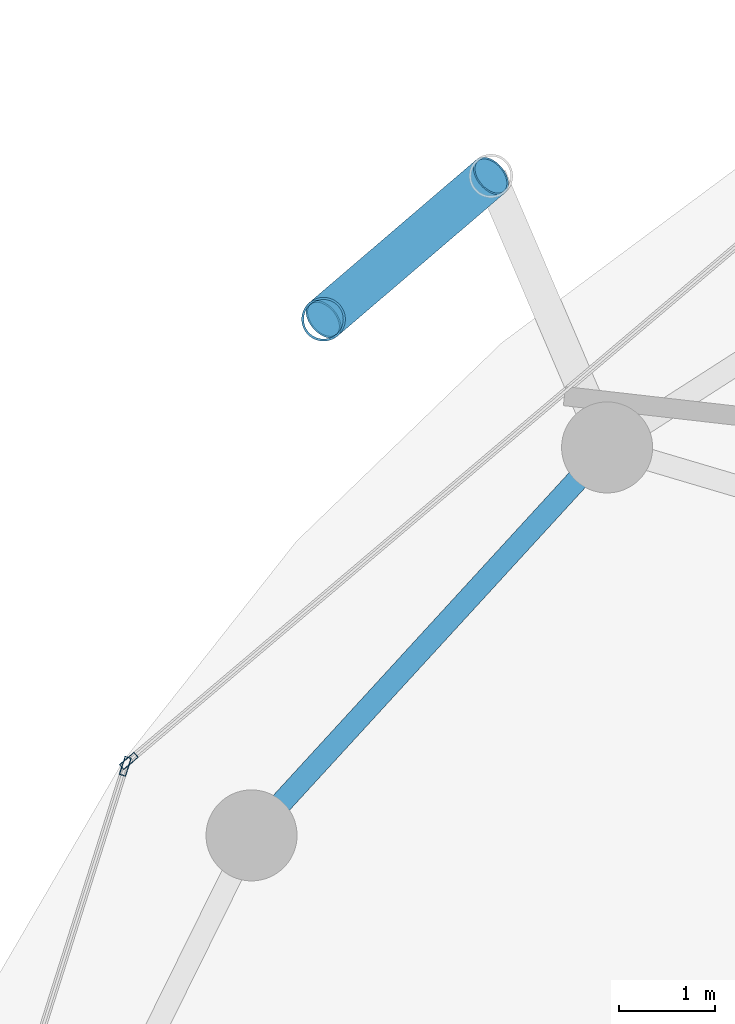
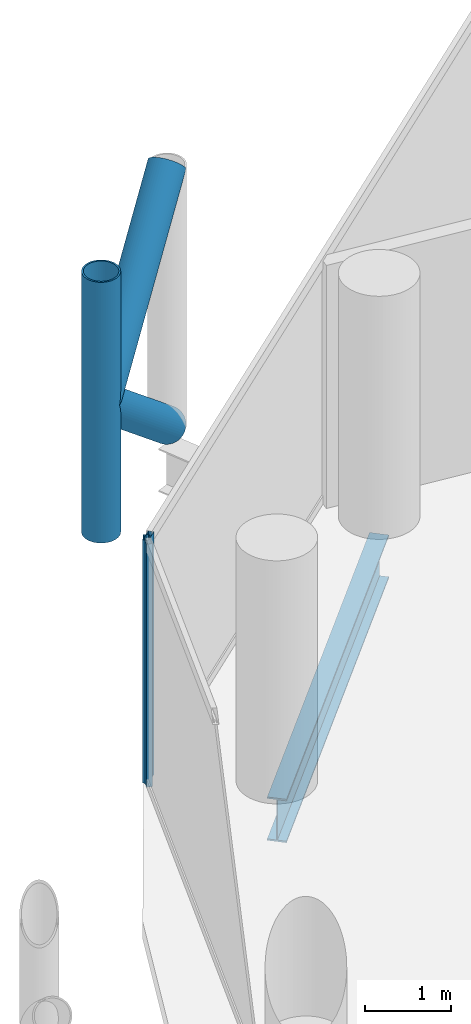
# One storey, part 13 of 26: 5 members, 1 beam, 2 elements without a shape of their own.
"""IFC4 building model written with IfcOpenShell, lengths in metres."""

from ifc_helpers import new_model, si_unit, direction, frame, origin, origin_2d, place, context, subcontext, project, spatial, hollow_rectangle, hollow_circle, i_section, extrude, material, layer, layer_set, material_profile, profile_set, type_object, element, aggregate, save


model = new_model("IFC4")

# Units and contexts
model_context = context("Model", 3, precision=1e-05, world=origin(), true_north=direction((0.0, 1.0)))
body_context = subcontext(model_context, "Body", "Model", "MODEL_VIEW")
ifc_project = project(units=[si_unit("LENGTHUNIT", "METRE"), si_unit("AREAUNIT", "SQUARE_METRE"), si_unit("VOLUMEUNIT", "CUBIC_METRE"), si_unit("PLANEANGLEUNIT", "RADIAN"), si_unit("MASSUNIT", "GRAM", prefix="KILO")], contexts=[model_context])

# Site, building, storey
site_placement = place(None, origin())
site = spatial("IfcSite", under=ifc_project, at=site_placement, CompositionType="ELEMENT")
building_placement = place(site_placement, origin())
building = spatial("IfcBuilding", under=site, at=building_placement, Name="Nuhasar Tower", CompositionType="ELEMENT")
storey_placement = place(building_placement, frame((0.0, 0.0, 155.25)))
storey = spatial("IfcBuildingStorey", under=building, at=storey_placement, Name="L37", CompositionType="ELEMENT", Elevation=155.25)

# Beam
ifc_material_1 = material(Name="Steel S355", Category="steel")
ifc_material_profile_1 = material_profile(ifc_material_1, i_section(OverallWidth=0.22998046875, OverallDepth=0.616943359375, WebThickness=0.01318359375, FlangeThickness=0.022216796875, at=origin_2d()), Name="W24X94")
ifc_profile_set_1 = profile_set([ifc_material_profile_1], Name="Steel S355")
beam_type = type_object("IfcBeamType", Name="BM-RING-W24X94", PredefinedType="SPANDREL", material=ifc_profile_set_1)
beam_placement = place(storey_placement, frame((22.489013671875, 40.6240234375, -0.55908203125), z_axis=(-0.675654174897, -0.737218716491, 0.0), x_axis=(0.737218716491, -0.675654174897, 0.0)))
element("IfcBeam", 1, at=beam_placement, inside=storey, type_object=beam_type, Name="L37 Perimeter Ring Spandrel 10", PredefinedType="SPANDREL", context=body_context, shape_type="SweptSolid", body=[
    extrude(i_section(OverallWidth=0.22998046875, OverallDepth=0.616943359375, WebThickness=0.01318359375, FlangeThickness=0.022216796875, at=origin_2d()), origin(), (0.0, 0.0, 1.0), 5.492431640625),
])

# Curtain wall, member
ifc_material_2 = material(Name="Aluminium 6063-T6", Category="aluminium")
ifc_layer = layer(ifc_material_2, 0.199951171875)
ifc_layer_set = layer_set([ifc_layer], Name="Aluminium 6063-T6")
curtain_wall_type = type_object("IfcCurtainWallType", Name="CW-Z2-HTL", PredefinedType="NOTDEFINED", material=ifc_layer_set)
curtain_wall_1_placement = place(storey_placement, origin())
curtain_wall_1 = element("IfcCurtainWall", 2, at=curtain_wall_1_placement, inside=storey, type_object=curtain_wall_type, Name="L37 Unitised Curtain Wall 05", PredefinedType="NOTDEFINED")
ifc_material_profile_2 = material_profile(ifc_material_2, hollow_rectangle(XDim=0.070068359375, YDim=0.199951171875, WallThickness=0.0048828125, at=origin_2d()), Name="CWM-3")
ifc_profile_set_2 = profile_set([ifc_material_profile_2], Name="Aluminium 6063-T6")
member_type_1 = type_object("IfcMemberType", Name="CW-MUL-S3", PredefinedType="MULLION", material=ifc_profile_set_2)
member_1_placement = place(storey_placement, frame((17.497802734375, 37.3525390625, 0.0), z_axis=(0.0, 0.0, 1.0), x_axis=(0.646374438324, -0.763020370292, 0.0)))
member_1 = element("IfcMember", 3, at=member_1_placement, type_object=member_type_1, Name="CW-Z2 mullion 2", PredefinedType="MULLION", context=body_context, shape_type="SweptSolid", body=[
    extrude(hollow_rectangle(XDim=0.070068359375, YDim=0.199951171875, WallThickness=0.0048828125, at=origin_2d()), origin(), (0.0, 0.0, 1.0), 3.449951171875),
])
aggregate(curtain_wall_1, [member_1])

curtain_wall_2_placement = place(storey_placement, origin())
curtain_wall_2 = element("IfcCurtainWall", 4, at=curtain_wall_2_placement, inside=storey, type_object=curtain_wall_type, Name="L37 Unitised Curtain Wall 06", PredefinedType="NOTDEFINED")
member_2_placement = place(storey_placement, frame((17.46044921875, 37.296630859375, 0.0), z_axis=(0.0, 0.0, 1.0), x_axis=(0.953433389233, -0.301603667577, 0.0)))
member_2 = element("IfcMember", 5, at=member_2_placement, type_object=member_type_1, Name="CW-Z2 mullion 1", PredefinedType="MULLION", context=body_context, shape_type="SweptSolid", body=[
    extrude(hollow_rectangle(XDim=0.070068359375, YDim=0.199951171875, WallThickness=0.0048828125, at=origin_2d()), origin(), (0.0, 0.0, 1.0), 3.449951171875),
])
aggregate(curtain_wall_2, [member_2])

# Members
ifc_material_3 = material(Name="Steel S460", Category="steel")
ifc_material_profile_3 = material_profile(ifc_material_3, hollow_circle(Radius=0.228515625, WallThickness=0.022216796875, at=origin_2d()), Name="HSS457X22.2")
ifc_profile_set_3 = profile_set([ifc_material_profile_3], Name="Steel S460")
member_type_2 = type_object("IfcMemberType", Name="EXO-BRONZE-457", PredefinedType="BRACE", material=ifc_profile_set_3)
member_3_placement = place(storey_placement, frame((19.529052734375, 41.9619140625, 0.0), z_axis=(0.0, 0.0, 1.0), x_axis=(1.0, 0.0, 0.0)))
element("IfcMember", 6, at=member_3_placement, inside=storey, type_object=member_type_2, Name="L37 Exoskeleton Chord Column EC-05B", PredefinedType="BRACE", context=body_context, shape_type="SweptSolid", body=[
    extrude(hollow_circle(Radius=0.228515625, WallThickness=0.022216796875, at=origin_2d()), origin(), (0.0, 0.0, 1.0), 3.699951171875),
])
member_4_placement = place(storey_placement, frame((21.277099609375, 43.45703125, 0.0), z_axis=(-0.592170370358, -0.506487618445, 0.626741210415), x_axis=(0.649986859795, -0.759945446788, 0.0)))
element("IfcMember", 7, at=member_4_placement, inside=storey, type_object=member_type_2, Name="L37 Bronze Diagrid Brace W1-05", PredefinedType="BRACE", context=body_context, shape_type="SweptSolid", body=[
    extrude(hollow_circle(Radius=0.228515625, WallThickness=0.022216796875, at=origin_2d()), origin(), (0.0, 0.0, 1.0), 2.951904296875),
])
member_5_placement = place(storey_placement, frame((19.529052734375, 41.9619140625, 1.85009765625), z_axis=(0.592201065785, 0.506513872468, 0.626690988192), x_axis=(-0.649986859795, 0.759945446788, 0.0)))
element("IfcMember", 8, at=member_5_placement, inside=storey, type_object=member_type_2, Name="L37 Bronze Diagrid Brace W2-05", PredefinedType="BRACE", context=body_context, shape_type="SweptSolid", body=[
    extrude(hollow_circle(Radius=0.228515625, WallThickness=0.022216796875, at=origin_2d()), origin(), (0.0, 0.0, 1.0), 2.95166015625),
])

save(model, "model.ifc")
